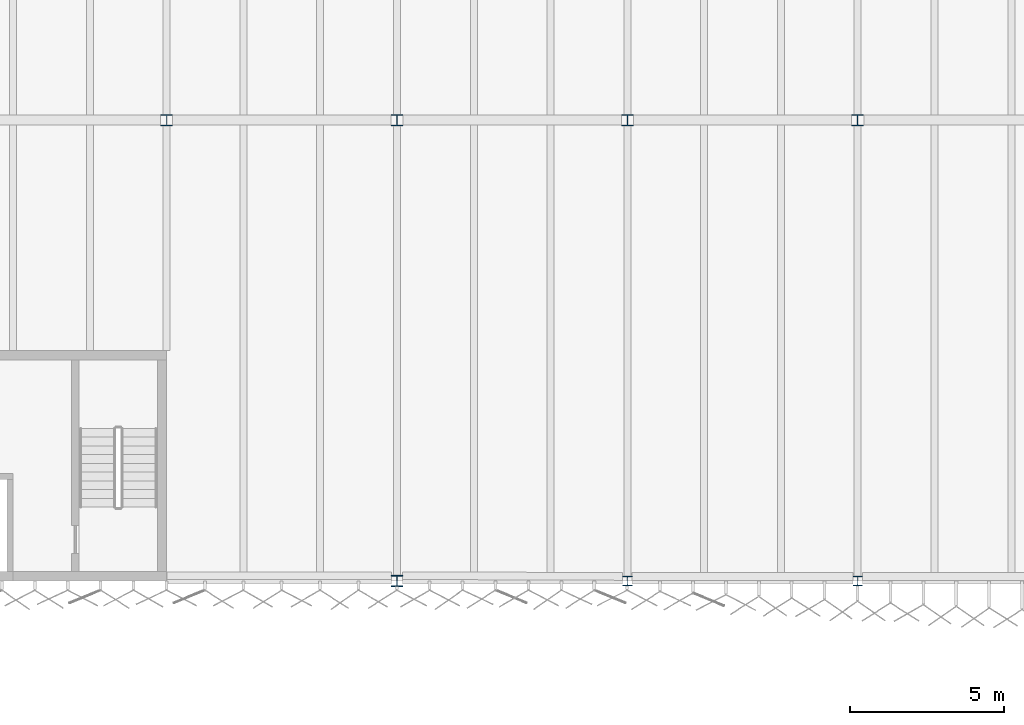
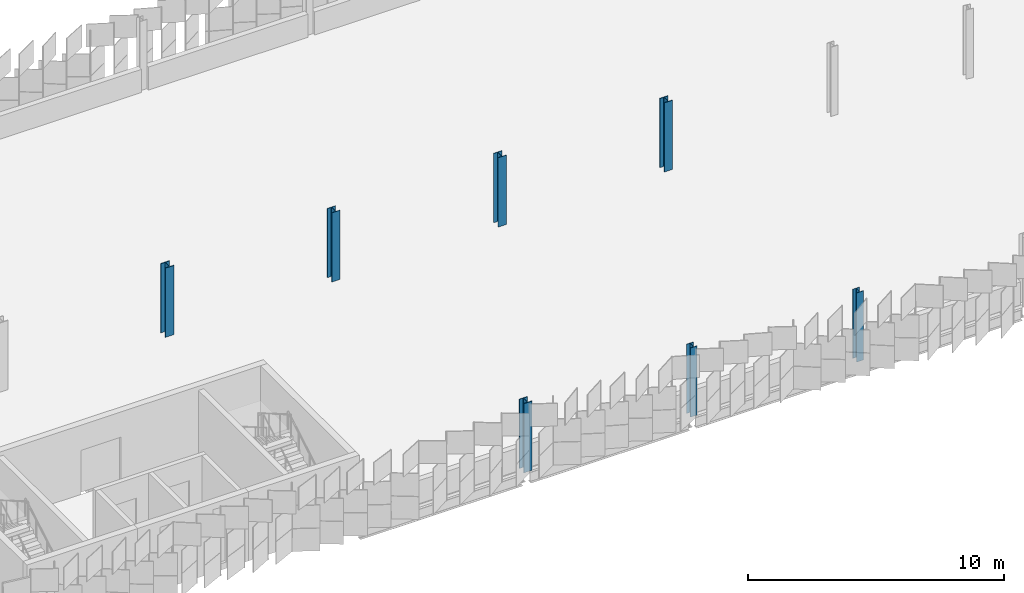
# One storey, part 20 of 198: 7 columns.
"""IFC4 building model written with IfcOpenShell, lengths in metres."""

from ifc_helpers import new_model, si_unit, direction, frame, origin, origin_2d, place, context, subcontext, project, spatial, i_section, extrude, material, material_profile, profile_set, type_object, element, save


model = new_model("IFC4")

# Units and contexts
model_context = context("Model", 3, precision=1e-05, world=origin(), true_north=direction((0.0, 1.0)))
body_context = subcontext(model_context, "Body", "Model", "MODEL_VIEW")
ifc_project = project(units=[si_unit("LENGTHUNIT", "METRE"), si_unit("AREAUNIT", "SQUARE_METRE"), si_unit("VOLUMEUNIT", "CUBIC_METRE"), si_unit("PLANEANGLEUNIT", "RADIAN"), si_unit("MASSUNIT", "GRAM", prefix="KILO")], contexts=[model_context])

# Site, building, storey
site_placement = place(None, origin())
site = spatial("IfcSite", under=ifc_project, at=site_placement, CompositionType="ELEMENT")
building_placement = place(site_placement, origin())
building = spatial("IfcBuilding", under=site, at=building_placement, Name="Parallax Yard Mobility Hub", CompositionType="ELEMENT")
storey_placement = place(building_placement, frame((0.0, 0.0, 6.60009765625)))
storey = spatial("IfcBuildingStorey", under=building, at=storey_placement, Name="L02", CompositionType="ELEMENT", Elevation=6.60009765625)

# Columns
ifc_material = material(Name="Steel ASTM A992", Category="steel")
ifc_material_profile_1 = material_profile(ifc_material, i_section(OverallWidth=0.304931640625, OverallDepth=0.306884765625, WebThickness=0.010009765625, FlangeThickness=0.015380859375, FilletRadius=0.01513671875, at=origin_2d()), Name="W310x97")
ifc_profile_set_1 = profile_set([ifc_material_profile_1], Name="Steel ASTM A992")
column_type_1 = type_object("IfcColumnType", Name="W310x97 column", PredefinedType="COLUMN", material=ifc_profile_set_1)
for number, where, z_axis, x_axis, name in (
    (1, (157.5, 112.5, 0.0), (0.0, 0.0, 1.0), (1.0, 0.0, 0.0), "Column C1 level L02 at R/22 of ramped parking decks"),
    (2, (165.0, 112.5, 0.0), (0.0, 0.0, 1.0), (1.0, 0.0, 0.0), "Column C1 level L02 at R/23 of ramped parking decks"),
):
    element("IfcColumn", number, at=place(storey_placement, frame(where, z_axis=z_axis, x_axis=x_axis)), inside=storey, type_object=column_type_1, Name=name, PredefinedType="COLUMN", context=body_context, shape_type="SweptSolid", body=[
        extrude(i_section(OverallWidth=0.304931640625, OverallDepth=0.306884765625, WebThickness=0.010009765625, FlangeThickness=0.015380859375, FilletRadius=0.01513671875, at=origin_2d()), origin(), (0.0, 0.0, 1.0), 3.2998046875),
    ])
ifc_material_profile_2 = material_profile(ifc_material, i_section(OverallWidth=0.373046875, OverallDepth=0.367919921875, WebThickness=0.014892578125, FlangeThickness=0.02392578125, FilletRadius=0.01513671875, at=origin_2d()), Name="W360x179")
ifc_profile_set_2 = profile_set([ifc_material_profile_2], Name="Steel ASTM A992")
column_type_2 = type_object("IfcColumnType", Name="W360x179 column", PredefinedType="COLUMN", material=ifc_profile_set_2)
for number, where, z_axis, x_axis, name in (
    (3, (150.0, 112.5, 0.0), (0.0, 0.0, 1.0), (1.0, 0.0, 0.0), "Column C7 level L02 at R/21 of ramped parking decks"),
    (4, (150.0, 127.5, 0.0), (0.0, 0.0, 1.0), (1.0, 0.0, 0.0), "Column C7 level L02 at T/21 of ramped parking decks"),
    (5, (157.5, 127.5, 0.0), (0.0, 0.0, 1.0), (1.0, 0.0, 0.0), "Column C7 level L02 at T/22 of ramped parking decks"),
    (6, (165.0, 127.5, 0.0), (0.0, 0.0, 1.0), (1.0, 0.0, 0.0), "Column C7 level L02 at T/23 of ramped parking decks"),
):
    element("IfcColumn", number, at=place(storey_placement, frame(where, z_axis=z_axis, x_axis=x_axis)), inside=storey, type_object=column_type_2, Name=name, PredefinedType="COLUMN", context=body_context, shape_type="SweptSolid", body=[
        extrude(i_section(OverallWidth=0.373046875, OverallDepth=0.367919921875, WebThickness=0.014892578125, FlangeThickness=0.02392578125, FilletRadius=0.01513671875, at=origin_2d()), origin(), (0.0, 0.0, 1.0), 3.2998046875),
    ])
ifc_material_profile_3 = material_profile(ifc_material, i_section(OverallWidth=0.39404296875, OverallDepth=0.3759765625, WebThickness=0.017333984375, FlangeThickness=0.027587890625, FilletRadius=0.01513671875, at=origin_2d()), Name="W360x216")
ifc_profile_set_3 = profile_set([ifc_material_profile_3], Name="Steel ASTM A992")
column_type_3 = type_object("IfcColumnType", Name="W360x216 column", PredefinedType="COLUMN", material=ifc_profile_set_3)
column_placement = place(storey_placement, frame((142.5, 127.5, 0.0), z_axis=(0.0, 0.0, 1.0), x_axis=(1.0, 0.0, 0.0)))
element("IfcColumn", 7, at=column_placement, inside=storey, type_object=column_type_3, Name="Column C9 level L02 at T/20 of ramped parking decks", PredefinedType="COLUMN", context=body_context, shape_type="SweptSolid", body=[
    extrude(i_section(OverallWidth=0.39404296875, OverallDepth=0.3759765625, WebThickness=0.017333984375, FlangeThickness=0.027587890625, FilletRadius=0.01513671875, at=origin_2d()), origin(), (0.0, 0.0, 1.0), 3.2998046875),
])

save(model, "model.ifc")
